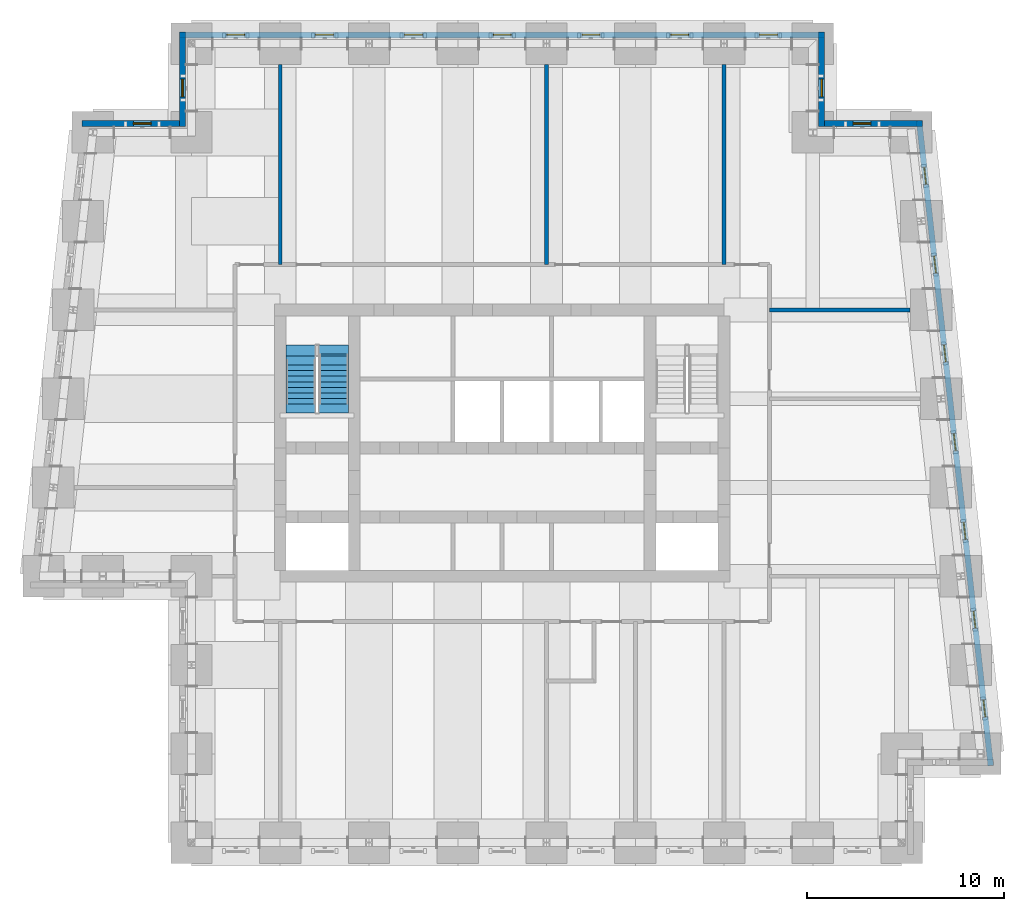
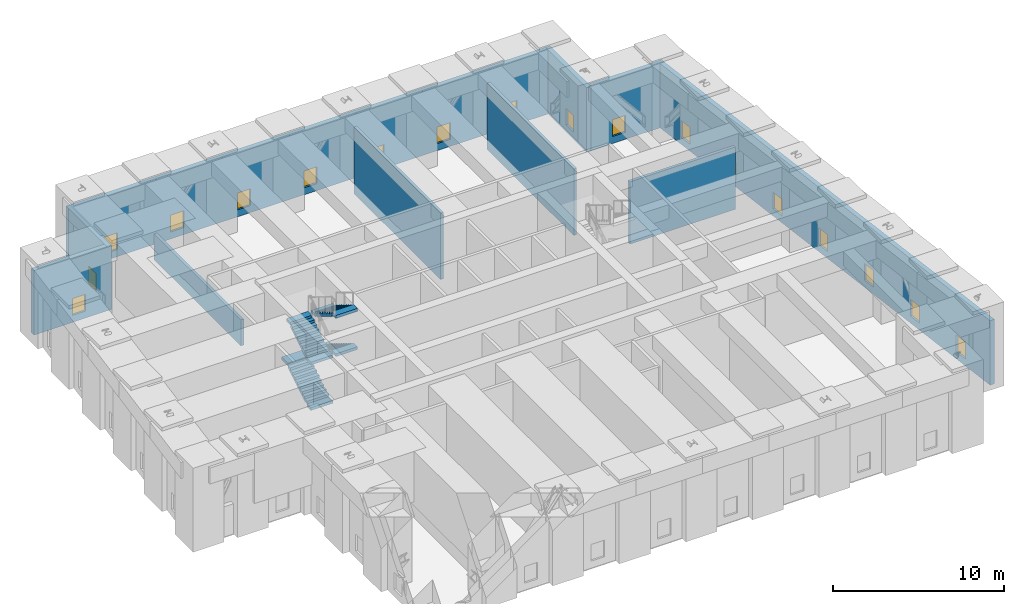
# One storey, part 5 of 17: 18 windows, 10 walls, 4 stair flights, 18 openings, 1 element without a shape of its own.
"""IFC4 building model written with IfcOpenShell, lengths in metres."""

from ifc_helpers import new_model, si_unit, direction, frame, frame_2d, origin, place, context, subcontext, project, spatial, polyline, rectangle, outline, extrude, material, layer, layer_set, type_object, element, fill, aggregate, save


model = new_model("IFC4")

# Units and contexts
model_context = context("Model", 3, precision=1e-05, world=origin(), true_north=direction((0.0, 1.0)))
body_context = subcontext(model_context, "Body", "Model", "MODEL_VIEW")
ifc_project = project(units=[si_unit("LENGTHUNIT", "METRE"), si_unit("AREAUNIT", "SQUARE_METRE"), si_unit("VOLUMEUNIT", "CUBIC_METRE"), si_unit("PLANEANGLEUNIT", "RADIAN"), si_unit("MASSUNIT", "GRAM", prefix="KILO")], contexts=[model_context])

# Site, building, storey
site_placement = place(None, origin())
site = spatial("IfcSite", under=ifc_project, at=site_placement, CompositionType="ELEMENT")
building_placement = place(site_placement, origin())
building = spatial("IfcBuilding", under=site, at=building_placement, Name="Kilele Tower Hotel", CompositionType="ELEMENT")
storey_placement = place(building_placement, frame((0.0, 0.0, 211.39990234375)))
storey = spatial("IfcBuildingStorey", under=building, at=storey_placement, Name="L55", CompositionType="ELEMENT", Elevation=211.39990234375)

# Walls
ifc_material_1 = material(Name="Blockwork, plastered both sides", Category="masonry")
ifc_layer_1 = layer(ifc_material_1, 0.199951171875)
ifc_layer_set_1 = layer_set([ifc_layer_1], Name="Blockwork, plastered both sides")
wall_type_1 = type_object("IfcWallType", Name="Partition wall 200", PredefinedType="PARTITIONING", material=ifc_layer_set_1)
wall_1_placement = place(storey_placement, frame((38.300048828125, 27.0, 0.0), z_axis=(0.0, 0.0, 1.0), x_axis=(1.0, 0.0, 0.0)))
element("IfcWall", 1, at=wall_1_placement, inside=storey, type_object=wall_type_1, Name="Partition wall 200 L55", PredefinedType="PARTITIONING", context=body_context, shape_type="SweptSolid", body=[
    extrude(rectangle(XDim=7.13916015625, YDim=0.199951171875, at=frame_2d((3.569580078125, 0.0))), origin(), (0.0, 0.0, 1.0), 4.4501953125),
])
wall_2_placement = place(storey_placement, frame((13.5, 29.300048828125, 0.0), z_axis=(0.0, 0.0, 1.0), x_axis=(0.0, 1.0, 0.0)))
element("IfcWall", 2, at=wall_2_placement, inside=storey, type_object=wall_type_1, Name="Partition wall 200 L55", PredefinedType="PARTITIONING", context=body_context, shape_type="SweptSolid", body=[
    extrude(rectangle(XDim=10.14990234375, YDim=0.199951171875, at=frame_2d((5.074951171875, 0.0))), origin(), (0.0, 0.0, 1.0), 1.85009765625),
])
for number, where, z_axis, x_axis, name in (
    (3, (27.0, 29.300048828125, 0.0), (0.0, 0.0, 1.0), (0.0, 1.0, 0.0), "Partition wall 200 L55"),
    (4, (36.0, 29.300048828125, 0.0), (0.0, 0.0, 1.0), (0.0, 1.0, 0.0), "Partition wall 200 L55"),
):
    element("IfcWall", number, at=place(storey_placement, frame(where, z_axis=z_axis, x_axis=x_axis)), inside=storey, type_object=wall_type_1, Name=name, PredefinedType="PARTITIONING", context=body_context, shape_type="SweptSolid", body=[
        extrude(rectangle(XDim=10.14990234375, YDim=0.199951171875, at=frame_2d((5.074951171875, 0.0))), origin(), (0.0, 0.0, 1.0), 4.75),
    ])

# Wall, openings, windows
ifc_material_2 = material(Name="Concrete C40/50 precast", Category="concrete")
ifc_layer_2 = layer(ifc_material_2, 0.260009765625, Name="Precast backing", Category="LoadBearing")
ifc_material_3 = material(Name="Reconstituted stone finish", Category="masonry")
ifc_layer_3 = layer(ifc_material_3, 0.0400390625, Name="Face mix", Category="Finish")
ifc_layer_set_2 = layer_set([ifc_layer_2, ifc_layer_3], Name="Precast concrete C40/50, reconstituted stone finish")
wall_type_2 = type_object("IfcWallType", Name="Precast stone facade wall 300", PredefinedType="STANDARD", material=ifc_layer_set_2)
wall_3_placement = place(storey_placement, frame((49.519287109375, 3.90087890625, 0.0), z_axis=(0.0, 0.0, 1.0), x_axis=(-0.110429082637, 0.993884006164, 0.0)))
wall_3 = element("IfcWall", 5, at=wall_3_placement, inside=storey, type_object=wall_type_2, Name="Facade wall L55 edge 6", PredefinedType="STANDARD", context=body_context, shape_type="SweptSolid", body=[
    extrude(rectangle(XDim=32.8994140625, YDim=0.300048828125, at=frame_2d((16.44970703125, 0.0))), origin(), (0.0, 0.0, 1.0), 4.60009765625),
])
opening_1_placement = place(wall_3_placement, frame((2.466796875, 0.0, 0.5)))
opening_1 = element("IfcOpeningElement", 6, at=opening_1_placement, cuts=wall_3, Name="Opening LV1", PredefinedType="OPENING", context=body_context, shape_type="SweptSolid", body=[
    extrude(rectangle(XDim=0.89990234375, YDim=1.199951171875, at=frame_2d((0.449951171875, 0.60009765625))), frame((0.0, 0.159912109375, 0.0), z_axis=(0.0, -1.0, 0.0), x_axis=(1.0, 0.0, 0.0)), (0.0, 0.0, 1.0), 0.320068359375),
])
opening_2_placement = place(wall_3_placement, frame((6.994873046875, 0.0, 0.5)))
opening_2 = element("IfcOpeningElement", 7, at=opening_2_placement, cuts=wall_3, Name="Opening LV1", PredefinedType="OPENING", context=body_context, shape_type="SweptSolid", body=[
    extrude(rectangle(XDim=0.89990234375, YDim=1.199951171875, at=frame_2d((0.449951171875, 0.60009765625))), frame((0.0, 0.159912109375, 0.0), z_axis=(0.0, -1.0, 0.0), x_axis=(1.0, 0.0, 0.0)), (0.0, 0.0, 1.0), 0.320068359375),
])
opening_3_placement = place(wall_3_placement, frame((11.521728515625, 0.0, 0.5)))
opening_3 = element("IfcOpeningElement", 8, at=opening_3_placement, cuts=wall_3, Name="Opening LV1", PredefinedType="OPENING", context=body_context, shape_type="SweptSolid", body=[
    extrude(rectangle(XDim=0.89990234375, YDim=1.199951171875, at=frame_2d((0.449951171875, 0.60009765625))), frame((0.0, 0.159912109375, 0.0), z_axis=(0.0, -1.0, 0.0), x_axis=(1.0, 0.0, 0.0)), (0.0, 0.0, 1.0), 0.320068359375),
])
opening_4_placement = place(wall_3_placement, frame((16.0498046875, 0.0, 0.5)))
opening_4 = element("IfcOpeningElement", 9, at=opening_4_placement, cuts=wall_3, Name="Opening LV1", PredefinedType="OPENING", context=body_context, shape_type="SweptSolid", body=[
    extrude(rectangle(XDim=0.89990234375, YDim=1.199951171875, at=frame_2d((0.449951171875, 0.60009765625))), frame((0.0, 0.159912109375, 0.0), z_axis=(0.0, -1.0, 0.0), x_axis=(1.0, 0.0, 0.0)), (0.0, 0.0, 1.0), 0.320068359375),
])
opening_5_placement = place(wall_3_placement, frame((20.577880859375, 0.0, 0.5)))
opening_5 = element("IfcOpeningElement", 10, at=opening_5_placement, cuts=wall_3, Name="Opening LV1", PredefinedType="OPENING", context=body_context, shape_type="SweptSolid", body=[
    extrude(rectangle(XDim=0.89990234375, YDim=1.199951171875, at=frame_2d((0.449951171875, 0.60009765625))), frame((0.0, 0.159912109375, 0.0), z_axis=(0.0, -1.0, 0.0), x_axis=(1.0, 0.0, 0.0)), (0.0, 0.0, 1.0), 0.320068359375),
])
opening_6_placement = place(wall_3_placement, frame((25.104736328125, 0.0, 0.5)))
opening_6 = element("IfcOpeningElement", 11, at=opening_6_placement, cuts=wall_3, Name="Opening LV1", PredefinedType="OPENING", context=body_context, shape_type="SweptSolid", body=[
    extrude(rectangle(XDim=0.89990234375, YDim=1.199951171875, at=frame_2d((0.449951171875, 0.60009765625))), frame((0.0, 0.159912109375, 0.0), z_axis=(0.0, -1.0, 0.0), x_axis=(1.0, 0.0, 0.0)), (0.0, 0.0, 1.0), 0.320068359375),
])
opening_7_placement = place(wall_3_placement, frame((29.6328125, 0.0, 0.5)))
opening_7 = element("IfcOpeningElement", 12, at=opening_7_placement, cuts=wall_3, Name="Opening LV1", PredefinedType="OPENING", context=body_context, shape_type="SweptSolid", body=[
    extrude(rectangle(XDim=0.89990234375, YDim=1.199951171875, at=frame_2d((0.449951171875, 0.60009765625))), frame((0.0, 0.159912109375, 0.0), z_axis=(0.0, -1.0, 0.0), x_axis=(1.0, 0.0, 0.0)), (0.0, 0.0, 1.0), 0.320068359375),
])
ifc_material_4 = material(Name="Aluminium weather louvre with insect mesh", Category="aluminium")
window_type = type_object("IfcWindowType", Name="Ventilation louvre 900 x 1200", PartitioningType="SINGLE_PANEL", PredefinedType="USERDEFINED", material=ifc_material_4)
window_1_placement = place(opening_1_placement, origin())
window_1 = element("IfcWindow", 13, at=window_1_placement, inside=storey, type_object=window_type, Name="Louvre L55", ObjectType="LOUVRE", OverallHeight=1.199951171875, OverallWidth=0.89990234375, PartitioningType="SINGLE_PANEL", PredefinedType="USERDEFINED", context=body_context, shape_type="SweptSolid", body=[
    extrude(rectangle(XDim=0.89990234375, YDim=1.199951171875, at=frame_2d((0.449951171875, 0.60009765625))), frame((0.0, 0.030029296875, 0.0), z_axis=(0.0, -1.0, 0.0), x_axis=(1.0, 0.0, 0.0)), (0.0, 0.0, 1.0), 0.06005859375),
])
fill(opening_1, window_1)
window_2_placement = place(opening_2_placement, origin())
window_2 = element("IfcWindow", 14, at=window_2_placement, inside=storey, type_object=window_type, Name="Louvre L55", ObjectType="LOUVRE", OverallHeight=1.199951171875, OverallWidth=0.89990234375, PartitioningType="SINGLE_PANEL", PredefinedType="USERDEFINED", context=body_context, shape_type="SweptSolid", body=[
    extrude(rectangle(XDim=0.89990234375, YDim=1.199951171875, at=frame_2d((0.449951171875, 0.60009765625))), frame((0.0, 0.030029296875, 0.0), z_axis=(0.0, -1.0, 0.0), x_axis=(1.0, 0.0, 0.0)), (0.0, 0.0, 1.0), 0.06005859375),
])
fill(opening_2, window_2)
window_3_placement = place(opening_3_placement, origin())
window_3 = element("IfcWindow", 15, at=window_3_placement, inside=storey, type_object=window_type, Name="Louvre L55", ObjectType="LOUVRE", OverallHeight=1.199951171875, OverallWidth=0.89990234375, PartitioningType="SINGLE_PANEL", PredefinedType="USERDEFINED", context=body_context, shape_type="SweptSolid", body=[
    extrude(rectangle(XDim=0.89990234375, YDim=1.199951171875, at=frame_2d((0.449951171875, 0.60009765625))), frame((0.0, 0.030029296875, 0.0), z_axis=(0.0, -1.0, 0.0), x_axis=(1.0, 0.0, 0.0)), (0.0, 0.0, 1.0), 0.06005859375),
])
fill(opening_3, window_3)
window_4_placement = place(opening_4_placement, origin())
window_4 = element("IfcWindow", 16, at=window_4_placement, inside=storey, type_object=window_type, Name="Louvre L55", ObjectType="LOUVRE", OverallHeight=1.199951171875, OverallWidth=0.89990234375, PartitioningType="SINGLE_PANEL", PredefinedType="USERDEFINED", context=body_context, shape_type="SweptSolid", body=[
    extrude(rectangle(XDim=0.89990234375, YDim=1.199951171875, at=frame_2d((0.449951171875, 0.60009765625))), frame((0.0, 0.030029296875, 0.0), z_axis=(0.0, -1.0, 0.0), x_axis=(1.0, 0.0, 0.0)), (0.0, 0.0, 1.0), 0.06005859375),
])
fill(opening_4, window_4)
window_5_placement = place(opening_5_placement, origin())
window_5 = element("IfcWindow", 17, at=window_5_placement, inside=storey, type_object=window_type, Name="Louvre L55", ObjectType="LOUVRE", OverallHeight=1.199951171875, OverallWidth=0.89990234375, PartitioningType="SINGLE_PANEL", PredefinedType="USERDEFINED", context=body_context, shape_type="SweptSolid", body=[
    extrude(rectangle(XDim=0.89990234375, YDim=1.199951171875, at=frame_2d((0.449951171875, 0.60009765625))), frame((0.0, 0.030029296875, 0.0), z_axis=(0.0, -1.0, 0.0), x_axis=(1.0, 0.0, 0.0)), (0.0, 0.0, 1.0), 0.06005859375),
])
fill(opening_5, window_5)
window_6_placement = place(opening_6_placement, origin())
window_6 = element("IfcWindow", 18, at=window_6_placement, inside=storey, type_object=window_type, Name="Louvre L55", ObjectType="LOUVRE", OverallHeight=1.199951171875, OverallWidth=0.89990234375, PartitioningType="SINGLE_PANEL", PredefinedType="USERDEFINED", context=body_context, shape_type="SweptSolid", body=[
    extrude(rectangle(XDim=0.89990234375, YDim=1.199951171875, at=frame_2d((0.449951171875, 0.60009765625))), frame((0.0, 0.030029296875, 0.0), z_axis=(0.0, -1.0, 0.0), x_axis=(1.0, 0.0, 0.0)), (0.0, 0.0, 1.0), 0.06005859375),
])
fill(opening_6, window_6)
window_7_placement = place(opening_7_placement, origin())
window_7 = element("IfcWindow", 19, at=window_7_placement, inside=storey, type_object=window_type, Name="Louvre L55", ObjectType="LOUVRE", OverallHeight=1.199951171875, OverallWidth=0.89990234375, PartitioningType="SINGLE_PANEL", PredefinedType="USERDEFINED", context=body_context, shape_type="SweptSolid", body=[
    extrude(rectangle(XDim=0.89990234375, YDim=1.199951171875, at=frame_2d((0.449951171875, 0.60009765625))), frame((0.0, 0.030029296875, 0.0), z_axis=(0.0, -1.0, 0.0), x_axis=(1.0, 0.0, 0.0)), (0.0, 0.0, 1.0), 0.06005859375),
])
fill(opening_7, window_7)

# Wall, opening, window
wall_4_placement = place(storey_placement, frame((46.052734375, 36.449951171875, 0.0), z_axis=(0.0, 0.0, 1.0), x_axis=(-1.0, 0.0, 0.0)))
wall_4 = element("IfcWall", 20, at=wall_4_placement, inside=storey, type_object=wall_type_2, Name="Facade wall L55 edge 7", PredefinedType="STANDARD", context=body_context, shape_type="SweptSolid", body=[
    extrude(rectangle(XDim=5.252685546875, YDim=0.300048828125, at=frame_2d((2.62646484375, 0.0))), origin(), (0.0, 0.0, 1.0), 4.60009765625),
])
opening_8_placement = place(wall_4_placement, frame((2.602783203125, 0.0, 0.5)))
opening_8 = element("IfcOpeningElement", 21, at=opening_8_placement, cuts=wall_4, Name="Opening LV1", PredefinedType="OPENING", context=body_context, shape_type="SweptSolid", body=[
    extrude(rectangle(XDim=0.89990234375, YDim=1.199951171875, at=frame_2d((0.449951171875, 0.60009765625))), frame((0.0, 0.159912109375, 0.0), z_axis=(0.0, -1.0, 0.0), x_axis=(1.0, 0.0, 0.0)), (0.0, 0.0, 1.0), 0.320068359375),
])
window_8_placement = place(opening_8_placement, origin())
window_8 = element("IfcWindow", 22, at=window_8_placement, inside=storey, type_object=window_type, Name="Louvre L55", ObjectType="LOUVRE", OverallHeight=1.199951171875, OverallWidth=0.89990234375, PartitioningType="SINGLE_PANEL", PredefinedType="USERDEFINED", context=body_context, shape_type="SweptSolid", body=[
    extrude(rectangle(XDim=0.89990234375, YDim=1.199951171875, at=frame_2d((0.449951171875, 0.60009765625))), frame((0.0, 0.030029296875, 0.0), z_axis=(0.0, -1.0, 0.0), x_axis=(1.0, 0.0, 0.0)), (0.0, 0.0, 1.0), 0.06005859375),
])
fill(opening_8, window_8)

wall_5_placement = place(storey_placement, frame((40.949951171875, 36.300048828125, 0.0), z_axis=(0.0, 0.0, 1.0), x_axis=(0.0, 1.0, 0.0)))
wall_5 = element("IfcWall", 23, at=wall_5_placement, inside=storey, type_object=wall_type_2, Name="Facade wall L55 edge 8", PredefinedType="STANDARD", context=body_context, shape_type="SweptSolid", body=[
    extrude(rectangle(XDim=4.800048828125, YDim=0.300048828125, at=frame_2d((2.39990234375, 0.0))), origin(), (0.0, 0.0, 1.0), 4.60009765625),
])
opening_9_placement = place(wall_5_placement, frame((1.5, 0.0, 0.5)))
opening_9 = element("IfcOpeningElement", 24, at=opening_9_placement, cuts=wall_5, Name="Opening LV1", PredefinedType="OPENING", context=body_context, shape_type="SweptSolid", body=[
    extrude(rectangle(XDim=0.89990234375, YDim=1.199951171875, at=frame_2d((0.449951171875, 0.60009765625))), frame((0.0, 0.159912109375, 0.0), z_axis=(0.0, -1.0, 0.0), x_axis=(1.0, 0.0, 0.0)), (0.0, 0.0, 1.0), 0.320068359375),
])
window_9_placement = place(opening_9_placement, origin())
window_9 = element("IfcWindow", 25, at=window_9_placement, inside=storey, type_object=window_type, Name="Louvre L55", ObjectType="LOUVRE", OverallHeight=1.199951171875, OverallWidth=0.89990234375, PartitioningType="SINGLE_PANEL", PredefinedType="USERDEFINED", context=body_context, shape_type="SweptSolid", body=[
    extrude(rectangle(XDim=0.89990234375, YDim=1.199951171875, at=frame_2d((0.449951171875, 0.60009765625))), frame((0.0, 0.030029296875, 0.0), z_axis=(0.0, -1.0, 0.0), x_axis=(1.0, 0.0, 0.0)), (0.0, 0.0, 1.0), 0.06005859375),
])
fill(opening_9, window_9)

# Wall, openings, windows
wall_6_placement = place(storey_placement, frame((41.10009765625, 40.949951171875, 0.0), z_axis=(0.0, 0.0, 1.0), x_axis=(-1.0, 0.0, 0.0)))
wall_6 = element("IfcWall", 26, at=wall_6_placement, inside=storey, type_object=wall_type_2, Name="Facade wall L55 edge 9", PredefinedType="STANDARD", context=body_context, shape_type="SweptSolid", body=[
    extrude(rectangle(XDim=32.7001953125, YDim=0.300048828125, at=frame_2d((16.35009765625, 0.0))), origin(), (0.0, 0.0, 1.0), 4.60009765625),
])
opening_10_placement = place(wall_6_placement, frame((2.39990234375, 0.0, 0.5)))
opening_10 = element("IfcOpeningElement", 27, at=opening_10_placement, cuts=wall_6, Name="Opening LV1", PredefinedType="OPENING", context=body_context, shape_type="SweptSolid", body=[
    extrude(rectangle(XDim=0.89990234375, YDim=1.199951171875, at=frame_2d((0.449951171875, 0.60009765625))), frame((0.0, 0.159912109375, 0.0), z_axis=(0.0, -1.0, 0.0), x_axis=(1.0, 0.0, 0.0)), (0.0, 0.0, 1.0), 0.320068359375),
])
opening_11_placement = place(wall_6_placement, frame((6.89990234375, 0.0, 0.5)))
opening_11 = element("IfcOpeningElement", 28, at=opening_11_placement, cuts=wall_6, Name="Opening LV1", PredefinedType="OPENING", context=body_context, shape_type="SweptSolid", body=[
    extrude(rectangle(XDim=0.89990234375, YDim=1.199951171875, at=frame_2d((0.449951171875, 0.60009765625))), frame((0.0, 0.159912109375, 0.0), z_axis=(0.0, -1.0, 0.0), x_axis=(1.0, 0.0, 0.0)), (0.0, 0.0, 1.0), 0.320068359375),
])
opening_12_placement = place(wall_6_placement, frame((11.39990234375, 0.0, 0.5)))
opening_12 = element("IfcOpeningElement", 29, at=opening_12_placement, cuts=wall_6, Name="Opening LV1", PredefinedType="OPENING", context=body_context, shape_type="SweptSolid", body=[
    extrude(rectangle(XDim=0.89990234375, YDim=1.199951171875, at=frame_2d((0.449951171875, 0.60009765625))), frame((0.0, 0.159912109375, 0.0), z_axis=(0.0, -1.0, 0.0), x_axis=(1.0, 0.0, 0.0)), (0.0, 0.0, 1.0), 0.320068359375),
])
opening_13_placement = place(wall_6_placement, frame((15.89990234375, 0.0, 0.5)))
opening_13 = element("IfcOpeningElement", 30, at=opening_13_placement, cuts=wall_6, Name="Opening LV1", PredefinedType="OPENING", context=body_context, shape_type="SweptSolid", body=[
    extrude(rectangle(XDim=0.89990234375, YDim=1.199951171875, at=frame_2d((0.449951171875, 0.60009765625))), frame((0.0, 0.159912109375, 0.0), z_axis=(0.0, -1.0, 0.0), x_axis=(1.0, 0.0, 0.0)), (0.0, 0.0, 1.0), 0.320068359375),
])
opening_14_placement = place(wall_6_placement, frame((20.39990234375, 0.0, 0.5)))
opening_14 = element("IfcOpeningElement", 31, at=opening_14_placement, cuts=wall_6, Name="Opening LV1", PredefinedType="OPENING", context=body_context, shape_type="SweptSolid", body=[
    extrude(rectangle(XDim=0.89990234375, YDim=1.199951171875, at=frame_2d((0.449951171875, 0.60009765625))), frame((0.0, 0.159912109375, 0.0), z_axis=(0.0, -1.0, 0.0), x_axis=(1.0, 0.0, 0.0)), (0.0, 0.0, 1.0), 0.320068359375),
])
opening_15_placement = place(wall_6_placement, frame((24.89990234375, 0.0, 0.5)))
opening_15 = element("IfcOpeningElement", 32, at=opening_15_placement, cuts=wall_6, Name="Opening LV1", PredefinedType="OPENING", context=body_context, shape_type="SweptSolid", body=[
    extrude(rectangle(XDim=0.89990234375, YDim=1.199951171875, at=frame_2d((0.449951171875, 0.60009765625))), frame((0.0, 0.159912109375, 0.0), z_axis=(0.0, -1.0, 0.0), x_axis=(1.0, 0.0, 0.0)), (0.0, 0.0, 1.0), 0.320068359375),
])
opening_16_placement = place(wall_6_placement, frame((29.39990234375, 0.0, 0.5)))
opening_16 = element("IfcOpeningElement", 33, at=opening_16_placement, cuts=wall_6, Name="Opening LV1", PredefinedType="OPENING", context=body_context, shape_type="SweptSolid", body=[
    extrude(rectangle(XDim=0.89990234375, YDim=1.199951171875, at=frame_2d((0.449951171875, 0.60009765625))), frame((0.0, 0.159912109375, 0.0), z_axis=(0.0, -1.0, 0.0), x_axis=(1.0, 0.0, 0.0)), (0.0, 0.0, 1.0), 0.320068359375),
])
window_10_placement = place(opening_10_placement, origin())
window_10 = element("IfcWindow", 34, at=window_10_placement, inside=storey, type_object=window_type, Name="Louvre L55", ObjectType="LOUVRE", OverallHeight=1.199951171875, OverallWidth=0.89990234375, PartitioningType="SINGLE_PANEL", PredefinedType="USERDEFINED", context=body_context, shape_type="SweptSolid", body=[
    extrude(rectangle(XDim=0.89990234375, YDim=1.199951171875, at=frame_2d((0.449951171875, 0.60009765625))), frame((0.0, 0.030029296875, 0.0), z_axis=(0.0, -1.0, 0.0), x_axis=(1.0, 0.0, 0.0)), (0.0, 0.0, 1.0), 0.06005859375),
])
fill(opening_10, window_10)
window_11_placement = place(opening_11_placement, origin())
window_11 = element("IfcWindow", 35, at=window_11_placement, inside=storey, type_object=window_type, Name="Louvre L55", ObjectType="LOUVRE", OverallHeight=1.199951171875, OverallWidth=0.89990234375, PartitioningType="SINGLE_PANEL", PredefinedType="USERDEFINED", context=body_context, shape_type="SweptSolid", body=[
    extrude(rectangle(XDim=0.89990234375, YDim=1.199951171875, at=frame_2d((0.449951171875, 0.60009765625))), frame((0.0, 0.030029296875, 0.0), z_axis=(0.0, -1.0, 0.0), x_axis=(1.0, 0.0, 0.0)), (0.0, 0.0, 1.0), 0.06005859375),
])
fill(opening_11, window_11)
window_12_placement = place(opening_12_placement, origin())
window_12 = element("IfcWindow", 36, at=window_12_placement, inside=storey, type_object=window_type, Name="Louvre L55", ObjectType="LOUVRE", OverallHeight=1.199951171875, OverallWidth=0.89990234375, PartitioningType="SINGLE_PANEL", PredefinedType="USERDEFINED", context=body_context, shape_type="SweptSolid", body=[
    extrude(rectangle(XDim=0.89990234375, YDim=1.199951171875, at=frame_2d((0.449951171875, 0.60009765625))), frame((0.0, 0.030029296875, 0.0), z_axis=(0.0, -1.0, 0.0), x_axis=(1.0, 0.0, 0.0)), (0.0, 0.0, 1.0), 0.06005859375),
])
fill(opening_12, window_12)
window_13_placement = place(opening_13_placement, origin())
window_13 = element("IfcWindow", 37, at=window_13_placement, inside=storey, type_object=window_type, Name="Louvre L55", ObjectType="LOUVRE", OverallHeight=1.199951171875, OverallWidth=0.89990234375, PartitioningType="SINGLE_PANEL", PredefinedType="USERDEFINED", context=body_context, shape_type="SweptSolid", body=[
    extrude(rectangle(XDim=0.89990234375, YDim=1.199951171875, at=frame_2d((0.449951171875, 0.60009765625))), frame((0.0, 0.030029296875, 0.0), z_axis=(0.0, -1.0, 0.0), x_axis=(1.0, 0.0, 0.0)), (0.0, 0.0, 1.0), 0.06005859375),
])
fill(opening_13, window_13)
window_14_placement = place(opening_14_placement, origin())
window_14 = element("IfcWindow", 38, at=window_14_placement, inside=storey, type_object=window_type, Name="Louvre L55", ObjectType="LOUVRE", OverallHeight=1.199951171875, OverallWidth=0.89990234375, PartitioningType="SINGLE_PANEL", PredefinedType="USERDEFINED", context=body_context, shape_type="SweptSolid", body=[
    extrude(rectangle(XDim=0.89990234375, YDim=1.199951171875, at=frame_2d((0.449951171875, 0.60009765625))), frame((0.0, 0.030029296875, 0.0), z_axis=(0.0, -1.0, 0.0), x_axis=(1.0, 0.0, 0.0)), (0.0, 0.0, 1.0), 0.06005859375),
])
fill(opening_14, window_14)
window_15_placement = place(opening_15_placement, origin())
window_15 = element("IfcWindow", 39, at=window_15_placement, inside=storey, type_object=window_type, Name="Louvre L55", ObjectType="LOUVRE", OverallHeight=1.199951171875, OverallWidth=0.89990234375, PartitioningType="SINGLE_PANEL", PredefinedType="USERDEFINED", context=body_context, shape_type="SweptSolid", body=[
    extrude(rectangle(XDim=0.89990234375, YDim=1.199951171875, at=frame_2d((0.449951171875, 0.60009765625))), frame((0.0, 0.030029296875, 0.0), z_axis=(0.0, -1.0, 0.0), x_axis=(1.0, 0.0, 0.0)), (0.0, 0.0, 1.0), 0.06005859375),
])
fill(opening_15, window_15)
window_16_placement = place(opening_16_placement, origin())
window_16 = element("IfcWindow", 40, at=window_16_placement, inside=storey, type_object=window_type, Name="Louvre L55", ObjectType="LOUVRE", OverallHeight=1.199951171875, OverallWidth=0.89990234375, PartitioningType="SINGLE_PANEL", PredefinedType="USERDEFINED", context=body_context, shape_type="SweptSolid", body=[
    extrude(rectangle(XDim=0.89990234375, YDim=1.199951171875, at=frame_2d((0.449951171875, 0.60009765625))), frame((0.0, 0.030029296875, 0.0), z_axis=(0.0, -1.0, 0.0), x_axis=(1.0, 0.0, 0.0)), (0.0, 0.0, 1.0), 0.06005859375),
])
fill(opening_16, window_16)

# Wall, opening, window
wall_7_placement = place(storey_placement, frame((8.550048828125, 41.10009765625, 0.0), z_axis=(0.0, 0.0, 1.0), x_axis=(0.0, -1.0, 0.0)))
wall_7 = element("IfcWall", 41, at=wall_7_placement, inside=storey, type_object=wall_type_2, Name="Facade wall L55 edge 10", PredefinedType="STANDARD", context=body_context, shape_type="SweptSolid", body=[
    extrude(rectangle(XDim=4.800048828125, YDim=0.300048828125, at=frame_2d((2.39990234375, 0.0))), origin(), (0.0, 0.0, 1.0), 4.60009765625),
])
opening_17_placement = place(wall_7_placement, frame((2.39990234375, 0.0, 0.5)))
opening_17 = element("IfcOpeningElement", 42, at=opening_17_placement, cuts=wall_7, Name="Opening LV1", PredefinedType="OPENING", context=body_context, shape_type="SweptSolid", body=[
    extrude(rectangle(XDim=0.89990234375, YDim=1.199951171875, at=frame_2d((0.449951171875, 0.60009765625))), frame((0.0, 0.159912109375, 0.0), z_axis=(0.0, -1.0, 0.0), x_axis=(1.0, 0.0, 0.0)), (0.0, 0.0, 1.0), 0.320068359375),
])
window_17_placement = place(opening_17_placement, origin())
window_17 = element("IfcWindow", 43, at=window_17_placement, inside=storey, type_object=window_type, Name="Louvre L55", ObjectType="LOUVRE", OverallHeight=1.199951171875, OverallWidth=0.89990234375, PartitioningType="SINGLE_PANEL", PredefinedType="USERDEFINED", context=body_context, shape_type="SweptSolid", body=[
    extrude(rectangle(XDim=0.89990234375, YDim=1.199951171875, at=frame_2d((0.449951171875, 0.60009765625))), frame((0.0, 0.030029296875, 0.0), z_axis=(0.0, -1.0, 0.0), x_axis=(1.0, 0.0, 0.0)), (0.0, 0.0, 1.0), 0.06005859375),
])
fill(opening_17, window_17)

wall_8_placement = place(storey_placement, frame((8.699951171875, 36.449951171875, 0.0), z_axis=(0.0, 0.0, 1.0), x_axis=(-1.0, 0.0, 0.0)))
wall_8 = element("IfcWall", 44, at=wall_8_placement, inside=storey, type_object=wall_type_2, Name="Facade wall L55 edge 11", PredefinedType="STANDARD", context=body_context, shape_type="SweptSolid", body=[
    extrude(rectangle(XDim=5.252685546875, YDim=0.300048828125, at=frame_2d((2.62646484375, 0.0))), origin(), (0.0, 0.0, 1.0), 4.60009765625),
])
opening_18_placement = place(wall_8_placement, frame((1.75, 0.0, 0.5)))
opening_18 = element("IfcOpeningElement", 45, at=opening_18_placement, cuts=wall_8, Name="Opening LV1", PredefinedType="OPENING", context=body_context, shape_type="SweptSolid", body=[
    extrude(rectangle(XDim=0.89990234375, YDim=1.199951171875, at=frame_2d((0.449951171875, 0.60009765625))), frame((0.0, 0.159912109375, 0.0), z_axis=(0.0, -1.0, 0.0), x_axis=(1.0, 0.0, 0.0)), (0.0, 0.0, 1.0), 0.320068359375),
])
window_18_placement = place(opening_18_placement, origin())
window_18 = element("IfcWindow", 46, at=window_18_placement, inside=storey, type_object=window_type, Name="Louvre L55", ObjectType="LOUVRE", OverallHeight=1.199951171875, OverallWidth=0.89990234375, PartitioningType="SINGLE_PANEL", PredefinedType="USERDEFINED", context=body_context, shape_type="SweptSolid", body=[
    extrude(rectangle(XDim=0.89990234375, YDim=1.199951171875, at=frame_2d((0.449951171875, 0.60009765625))), frame((0.0, 0.030029296875, 0.0), z_axis=(0.0, -1.0, 0.0), x_axis=(1.0, 0.0, 0.0)), (0.0, 0.0, 1.0), 0.06005859375),
])
fill(opening_18, window_18)

# Stair, stair flights
ifc_material_5 = material(Name="Precast concrete C40/50", Category="concrete")
stair_type = type_object("IfcStairType", Name="Stair 1475 x 6000", PredefinedType="HALF_TURN_STAIR", material=ifc_material_5)
stair_placement = place(storey_placement, origin())
stair = element("IfcStair", 47, at=stair_placement, inside=storey, type_object=stair_type, Name="Stair 1 L55", PredefinedType="HALF_TURN_STAIR")
ifc_material_6 = material(Name="Precast concrete C40/50", Category="concrete")
stair_flight_type = type_object("IfcStairFlightType", Name="Flight 1475 riser 171.4", PredefinedType="STRAIGHT", material=ifc_material_6)
stair_flight_1_placement = place(storey_placement, frame((14.53759765625, 22.239990234375, 0.0), z_axis=(0.0, 0.0, 1.0), x_axis=(0.0, 1.0, 0.0)))
stair_flight_1 = element("IfcStairFlight", 48, at=stair_flight_1_placement, type_object=stair_flight_type, Name="ST1 flight 1", NumberOfRisers=9, NumberOfTreads=8, PredefinedType="STRAIGHT", RiserHeight=0.171428571, TreadLength=0.28, context=body_context, shape_type="SweptSolid", body=[
    extrude(outline(polyline([(0.0, 0.0), (0.0, 0.17138671875), (0.280029296875, 0.17138671875), (0.280029296875, 0.3427734375), (0.56005859375, 0.3427734375), (0.56005859375, 0.514404296875), (0.840087890625, 0.514404296875), (0.840087890625, 0.685791015625), (1.1201171875, 0.685791015625), (1.1201171875, 0.857177734375), (1.39990234375, 0.857177734375), (1.39990234375, 1.028564453125), (1.679931640625, 1.028564453125), (1.679931640625, 1.199951171875), (1.9599609375, 1.199951171875), (1.9599609375, 1.371337890625), (2.239990234375, 1.371337890625), (2.239990234375, 1.54296875), (2.239990234375, 1.195556640625), (0.287109375, 0.0), (0.0, 0.0)])), frame((0.0, 0.737548828125, 0.0), z_axis=(0.0, -1.0, 0.0), x_axis=(1.0, 0.0, 0.0)), (0.0, 0.0, 1.0), 1.47509765625),
    extrude(outline(polyline([(-0.465087890625, 0.737548828125), (-0.465087890625, -0.7373046875), (0.0, -0.7373046875), (0.0, 0.737548828125), (-0.465087890625, 0.737548828125)])), frame((0.0, 0.0, -0.199951171875)), (0.0, 0.0, 1.0), 0.199951171875),
    extrude(outline(polyline([(2.239990234375, 0.737548828125), (2.239990234375, -0.7373046875), (2.985107421875, -0.7373046875), (2.985107421875, 0.737548828125), (2.239990234375, 0.737548828125)])), frame((0.0, 0.0, 1.343017578125)), (0.0, 0.0, 1.0), 0.199951171875),
])
stair_flight_2_placement = place(storey_placement, frame((16.21240234375, 24.760009765625, 1.54296875), z_axis=(0.0, 0.0, 1.0), x_axis=(0.0, -1.0, 0.0)))
stair_flight_2 = element("IfcStairFlight", 49, at=stair_flight_2_placement, type_object=stair_flight_type, Name="ST1 flight 2", NumberOfRisers=10, NumberOfTreads=9, PredefinedType="STRAIGHT", RiserHeight=0.171428571, TreadLength=0.28, context=body_context, shape_type="SweptSolid", body=[
    extrude(outline(polyline([(0.0, 0.0), (0.0, 0.17138671875), (0.280029296875, 0.17138671875), (0.280029296875, 0.3427734375), (0.56005859375, 0.3427734375), (0.56005859375, 0.514404296875), (0.840087890625, 0.514404296875), (0.840087890625, 0.685791015625), (1.1201171875, 0.685791015625), (1.1201171875, 0.857177734375), (1.39990234375, 0.857177734375), (1.39990234375, 1.028564453125), (1.679931640625, 1.028564453125), (1.679931640625, 1.199951171875), (1.9599609375, 1.199951171875), (1.9599609375, 1.371337890625), (2.239990234375, 1.371337890625), (2.239990234375, 1.54296875), (2.52001953125, 1.54296875), (2.52001953125, 1.71435546875), (2.52001953125, 1.3671875), (0.287109375, 0.0), (0.0, 0.0)])), frame((0.0, 0.737548828125, 0.0), z_axis=(0.0, -1.0, 0.0), x_axis=(1.0, 0.0, 0.0)), (0.0, 0.0, 1.0), 1.47509765625),
    extrude(outline(polyline([(0.0, -0.7373046875), (0.0, 0.737548828125), (-0.465087890625, 0.737548828125), (-0.465087890625, -0.7373046875), (0.0, -0.7373046875)])), frame((0.0, 0.0, -0.199951171875)), (0.0, 0.0, 1.0), 0.199951171875),
    extrude(outline(polyline([(2.985107421875, -0.7373046875), (2.985107421875, 0.737548828125), (2.52001953125, 0.737548828125), (2.52001953125, -0.7373046875), (2.985107421875, -0.7373046875)])), frame((0.0, 0.0, 1.51416015625)), (0.0, 0.0, 1.0), 0.199951171875),
])
stair_flight_3_placement = place(storey_placement, frame((14.53759765625, 22.239990234375, 3.25732421875), z_axis=(0.0, 0.0, 1.0), x_axis=(0.0, 1.0, 0.0)))
stair_flight_3 = element("IfcStairFlight", 50, at=stair_flight_3_placement, type_object=stair_flight_type, Name="ST1 flight 3", NumberOfRisers=8, NumberOfTreads=7, PredefinedType="STRAIGHT", RiserHeight=0.171428571, TreadLength=0.28, context=body_context, shape_type="SweptSolid", body=[
    extrude(outline(polyline([(0.0, 0.0), (0.0, 0.17138671875), (0.280029296875, 0.17138671875), (0.280029296875, 0.3427734375), (0.56005859375, 0.3427734375), (0.56005859375, 0.514404296875), (0.840087890625, 0.514404296875), (0.840087890625, 0.685791015625), (1.1201171875, 0.685791015625), (1.1201171875, 0.857177734375), (1.39990234375, 0.857177734375), (1.39990234375, 1.028564453125), (1.679931640625, 1.028564453125), (1.679931640625, 1.199951171875), (1.9599609375, 1.199951171875), (1.9599609375, 1.371337890625), (1.9599609375, 1.024169921875), (0.287109375, 0.0), (0.0, 0.0)])), frame((0.0, 0.737548828125, 0.0), z_axis=(0.0, -1.0, 0.0), x_axis=(1.0, 0.0, 0.0)), (0.0, 0.0, 1.0), 1.47509765625),
    extrude(outline(polyline([(-0.465087890625, 0.737548828125), (-0.465087890625, -0.7373046875), (0.0, -0.7373046875), (0.0, 0.737548828125), (-0.465087890625, 0.737548828125)])), frame((0.0, 0.0, -0.2001953125)), (0.0, 0.0, 1.0), 0.199951171875),
    extrude(outline(polyline([(1.9599609375, 0.737548828125), (1.9599609375, -0.7373046875), (2.425048828125, -0.7373046875), (2.425048828125, 0.737548828125), (1.9599609375, 0.737548828125)])), frame((0.0, 0.0, 1.17138671875)), (0.0, 0.0, 1.0), 0.199951171875),
])
stair_flight_4_placement = place(storey_placement, frame((16.21240234375, 24.199951171875, 4.628662109375), z_axis=(0.0, 0.0, 1.0), x_axis=(0.0, -1.0, 0.0)))
stair_flight_4 = element("IfcStairFlight", 51, at=stair_flight_4_placement, type_object=stair_flight_type, Name="ST1 flight 4", NumberOfRisers=8, NumberOfTreads=7, PredefinedType="STRAIGHT", RiserHeight=0.171428571, TreadLength=0.28, context=body_context, shape_type="SweptSolid", body=[
    extrude(outline(polyline([(0.0, 0.0), (0.0, 0.17138671875), (0.280029296875, 0.17138671875), (0.280029296875, 0.3427734375), (0.56005859375, 0.3427734375), (0.56005859375, 0.514404296875), (0.840087890625, 0.514404296875), (0.840087890625, 0.685791015625), (1.1201171875, 0.685791015625), (1.1201171875, 0.857177734375), (1.39990234375, 0.857177734375), (1.39990234375, 1.028564453125), (1.679931640625, 1.028564453125), (1.679931640625, 1.199951171875), (1.9599609375, 1.199951171875), (1.9599609375, 1.371337890625), (1.9599609375, 1.024169921875), (0.287109375, 0.0), (0.0, 0.0)])), frame((0.0, 0.737548828125, 0.0), z_axis=(0.0, -1.0, 0.0), x_axis=(1.0, 0.0, 0.0)), (0.0, 0.0, 1.0), 1.47509765625),
    extrude(outline(polyline([(0.0, -0.7373046875), (0.0, 0.737548828125), (-0.465087890625, 0.737548828125), (-0.465087890625, -0.7373046875), (0.0, -0.7373046875)])), frame((0.0, 0.0, -0.199951171875)), (0.0, 0.0, 1.0), 0.199951171875),
    extrude(outline(polyline([(2.425048828125, -0.7373046875), (2.425048828125, 0.737548828125), (1.9599609375, 0.737548828125), (1.9599609375, -0.7373046875), (2.425048828125, -0.7373046875)])), frame((0.0, 0.0, 1.17138671875)), (0.0, 0.0, 1.0), 0.199951171875),
])
aggregate(stair, [stair_flight_1, stair_flight_2, stair_flight_3, stair_flight_4])

save(model, "model.ifc")
